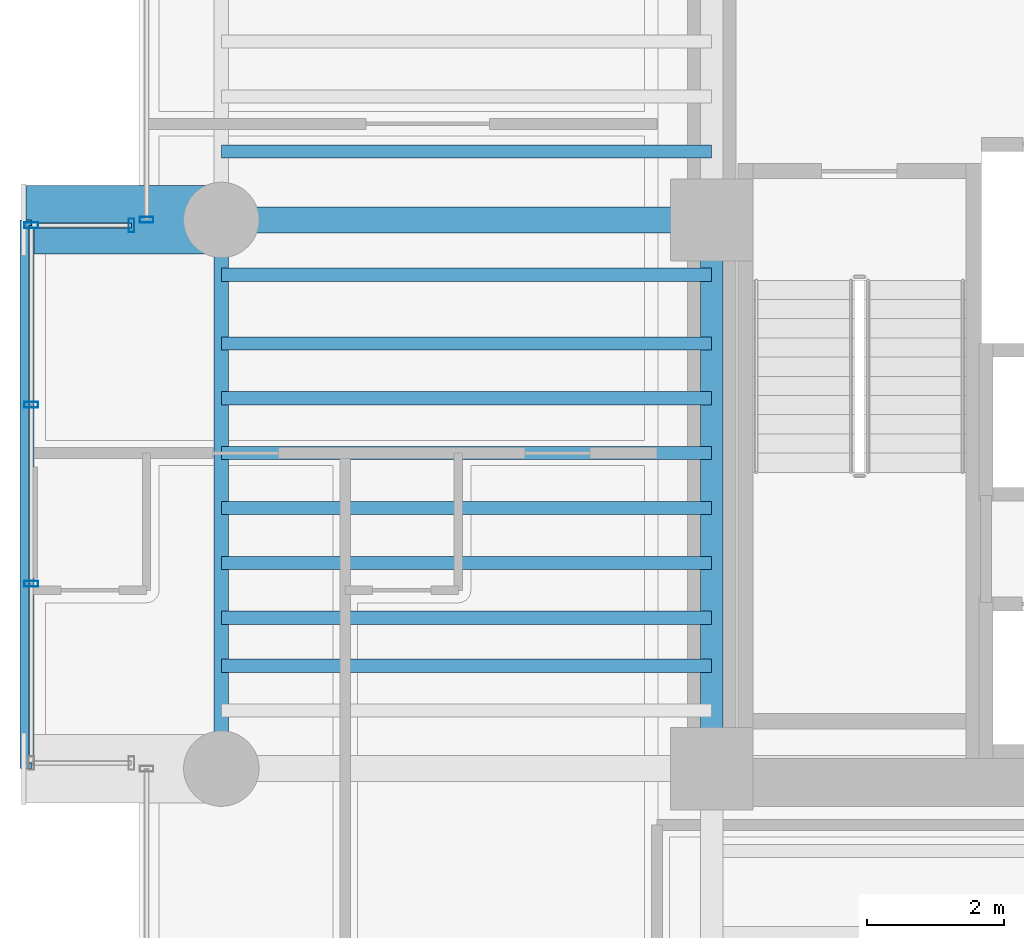
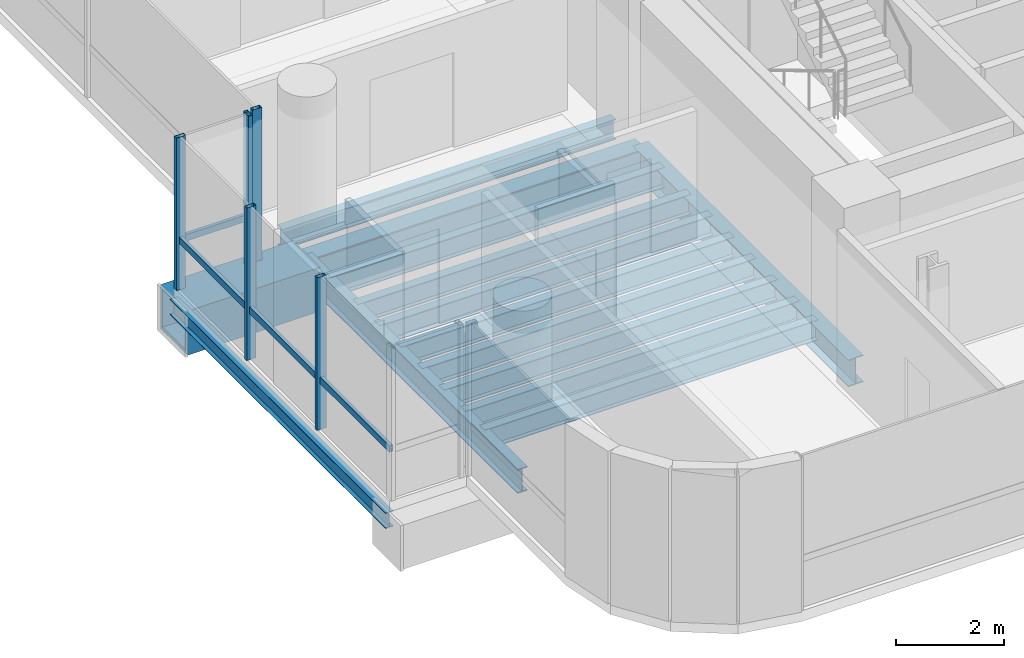
# One storey, part 4 of 37: 14 beams, 7 members, 3 elements without a shape of their own.
"""IFC4 building model written with IfcOpenShell, lengths in metres."""

from ifc_helpers import new_model, si_unit, direction, frame, origin, origin_2d, place, context, subcontext, project, spatial, hollow_rectangle, i_section, extrude, source, transform, mapped, material, material_profile, profile_set, type_object, element, aggregate, save


model = new_model("IFC4")

# Units and contexts
model_context = context("Model", 3, precision=1e-05, world=origin(), true_north=direction((0.0, 1.0)))
body_context = subcontext(model_context, "Body", "Model", "MODEL_VIEW")
ifc_project = project(units=[si_unit("LENGTHUNIT", "METRE"), si_unit("AREAUNIT", "SQUARE_METRE"), si_unit("VOLUMEUNIT", "CUBIC_METRE"), si_unit("PLANEANGLEUNIT", "RADIAN"), si_unit("MASSUNIT", "GRAM", prefix="KILO")], contexts=[model_context])

# Site, building, storey
site_placement = place(None, origin())
site = spatial("IfcSite", under=ifc_project, at=site_placement, CompositionType="ELEMENT")
building_placement = place(site_placement, origin())
building = spatial("IfcBuilding", under=site, at=building_placement, Name="Valdorenza Pilgrim Sanctuary Tower", CompositionType="ELEMENT")
storey_placement = place(building_placement, frame((0.0, 0.0, 135.300048828125)))
storey = spatial("IfcBuildingStorey", under=building, at=storey_placement, Name="L34", CompositionType="ELEMENT", Elevation=135.300048828125)

# Beams
ifc_material_1 = material(Name="Steel ASTM A992 Grade 50", Category="steel")
ifc_material_profile_1 = material_profile(ifc_material_1, i_section(OverallWidth=0.214111328125, OverallDepth=0.549072265625, WebThickness=0.0146484375, FlangeThickness=0.023681640625, at=origin_2d()), Name="W21X93")
ifc_profile_set_1 = profile_set([ifc_material_profile_1], Name="Steel ASTM A992 Grade 50")
beam_type_1 = type_object("IfcBeamType", Name="STR-BM-SPN-W21A", PredefinedType="SPANDREL", material=ifc_profile_set_1)
shared_shape_1 = source(origin(), body_context, "Body", "SweptSolid", [
    extrude(i_section(OverallWidth=0.214111328125, OverallDepth=0.549072265625, WebThickness=0.0146484375, FlangeThickness=0.023681640625, at=origin_2d()), origin(), (0.0, 0.0, 1.0), 8.0),
])
beam_1_placement = place(storey_placement, frame((-29.800048828125, -10.60009765625, -0.5146484375), z_axis=(0.0, 1.0, 0.0), x_axis=(-1.0, 0.0, 0.0)))
element("IfcBeam", 1, at=beam_1_placement, inside=storey, type_object=beam_type_1, Name="L34 Spandrel Beam WA-W-S1M0", PredefinedType="SPANDREL", context=body_context, shape_type="MappedRepresentation", body=[
    mapped(shared_shape_1, transform((0.0, 0.0, 0.0), x_axis=(1.0, 0.0, 0.0), y_axis=(0.0, 1.0, 0.0), z_axis=(0.0, 0.0, 1.0), scale=1.0)),
])
ifc_material_profile_2 = material_profile(ifc_material_1, i_section(OverallWidth=0.323974609375, OverallDepth=0.611083984375, WebThickness=0.0126953125, FlangeThickness=0.01904296875, at=origin_2d()), Name="W24X104")
ifc_profile_set_2 = profile_set([ifc_material_profile_2], Name="Steel ASTM A992 Grade 50")
beam_type_2 = type_object("IfcBeamType", Name="STR-BM-GRD-W24B", PredefinedType="BEAM", material=ifc_profile_set_2)
shared_shape_2 = source(origin(), body_context, "Body", "SweptSolid", [
    extrude(i_section(OverallWidth=0.323974609375, OverallDepth=0.611083984375, WebThickness=0.0126953125, FlangeThickness=0.01904296875, at=origin_2d()), origin(), (0.0, 0.0, 1.0), 8.0),
])
beam_2_placement = place(storey_placement, frame((-22.64990234375, -10.60009765625, -0.545654296875), z_axis=(0.0, 1.0, 0.0), x_axis=(-1.0, 0.0, 0.0)))
element("IfcBeam", 2, at=beam_2_placement, inside=storey, type_object=beam_type_2, Name="L34 Core Tie Girder CA-W-S1M0", PredefinedType="BEAM", context=body_context, shape_type="MappedRepresentation", body=[
    mapped(shared_shape_2, transform((0.0, 0.0, 0.0), x_axis=(1.0, 0.0, 0.0), y_axis=(0.0, 1.0, 0.0), z_axis=(0.0, 0.0, 1.0), scale=1.0)),
])
ifc_material_profile_3 = material_profile(ifc_material_1, i_section(OverallWidth=0.1708984375, OverallDepth=0.35107421875, WebThickness=0.0068359375, FlangeThickness=0.009765625, at=origin_2d()), Name="W14X30")
ifc_profile_set_3 = profile_set([ifc_material_profile_3], Name="Steel ASTM A992 Grade 50")
beam_type_3 = type_object("IfcBeamType", Name="STR-BM-BOX-W14", PredefinedType="BEAM", material=ifc_profile_set_3)
shared_shape_3 = source(origin(), body_context, "Body", "SweptSolid", [
    extrude(i_section(OverallWidth=0.1708984375, OverallDepth=0.35107421875, WebThickness=0.0068359375, FlangeThickness=0.009765625, at=origin_2d()), origin(), (0.0, 0.0, 1.0), 8.0),
])
beam_3_placement = place(storey_placement, frame((-32.64990234375, -10.60009765625, -0.41552734375), z_axis=(0.0, 1.0, 0.0), x_axis=(-1.0, 0.0, 0.0)))
element("IfcBeam", 3, at=beam_3_placement, inside=storey, type_object=beam_type_3, Name="L34 Glass Box Edge Beam BOX-WA-L34-F", PredefinedType="BEAM", context=body_context, shape_type="MappedRepresentation", body=[
    mapped(shared_shape_3, transform((0.0, 0.0, 0.0), x_axis=(1.0, 0.0, 0.0), y_axis=(0.0, 1.0, 0.0), z_axis=(0.0, 0.0, 1.0), scale=1.0)),
])
ifc_material_profile_4 = material_profile(ifc_material_1, i_section(OverallWidth=0.382080078125, OverallDepth=0.779052734375, WebThickness=0.01806640625, FlangeThickness=0.030029296875, at=origin_2d()), Name="W30X191")
ifc_profile_set_4 = profile_set([ifc_material_profile_4], Name="Steel ASTM A992 Grade 50")
beam_type_4 = type_object("IfcBeamType", Name="STR-BM-GRD-W30", PredefinedType="BEAM", material=ifc_profile_set_4)
shared_shape_4 = source(origin(), body_context, "Body", "SweptSolid", [
    extrude(i_section(OverallWidth=0.382080078125, OverallDepth=0.779052734375, WebThickness=0.01806640625, FlangeThickness=0.030029296875, at=origin_2d()), origin(), (0.0, 0.0, 1.0), 7.150146484375),
])
beam_4_placement = place(storey_placement, frame((-29.800048828125, -2.60009765625, -0.629638671875), z_axis=(1.0, 0.0, 0.0), x_axis=(0.0, 1.0, 0.0)))
element("IfcBeam", 4, at=beam_4_placement, inside=storey, type_object=beam_type_4, Name="L34 Floor Girder WA-XW-M0", PredefinedType="BEAM", context=body_context, shape_type="MappedRepresentation", body=[
    mapped(shared_shape_4, transform((0.0, 0.0, 0.0), x_axis=(1.0, 0.0, 0.0), y_axis=(0.0, 1.0, 0.0), z_axis=(0.0, 0.0, 1.0), scale=1.0)),
])
ifc_material_profile_5 = material_profile(ifc_material_1, i_section(OverallWidth=0.19091796875, OverallDepth=0.45703125, WebThickness=0.009033203125, FlangeThickness=0.014404296875, at=origin_2d()), Name="W18X50")
ifc_profile_set_5 = profile_set([ifc_material_profile_5], Name="Steel ASTM A992 Grade 50")
beam_type_5 = type_object("IfcBeamType", Name="STR-BM-JST-W18B", PredefinedType="JOIST", material=ifc_profile_set_5)
shared_shape_5 = source(origin(), body_context, "Body", "SweptSolid", [
    extrude(i_section(OverallWidth=0.19091796875, OverallDepth=0.45703125, WebThickness=0.009033203125, FlangeThickness=0.014404296875, at=origin_2d()), origin(), (0.0, 0.0, 1.0), 7.150146484375),
])
for number, where, z_axis, x_axis, name in (
    (5, (-29.800048828125, -9.10009765625, -0.468505859375), (1.0, 0.0, 0.0), (0.0, 1.0, 0.0), "L34 Composite Floor Joist JST-WA-2"),
    (6, (-29.800048828125, -8.39990234375, -0.468505859375), (1.0, 0.0, 0.0), (0.0, 1.0, 0.0), "L34 Composite Floor Joist JST-WA-3"),
    (7, (-29.800048828125, -7.60009765625, -0.468505859375), (1.0, 0.0, 0.0), (0.0, 1.0, 0.0), "L34 Composite Floor Joist JST-WA-4"),
    (8, (-29.800048828125, -6.800048828125, -0.468505859375), (1.0, 0.0, 0.0), (0.0, 1.0, 0.0), "L34 Composite Floor Joist JST-WA-5"),
    (9, (-29.800048828125, -6.0, -0.468505859375), (1.0, 0.0, 0.0), (0.0, 1.0, 0.0), "L34 Composite Floor Joist JST-WA-6"),
    (10, (-29.800048828125, -5.199951171875, -0.468505859375), (1.0, 0.0, 0.0), (0.0, 1.0, 0.0), "L34 Composite Floor Joist JST-WA-7"),
    (11, (-29.800048828125, -4.39990234375, -0.468505859375), (1.0, 0.0, 0.0), (0.0, 1.0, 0.0), "L34 Composite Floor Joist JST-WA-8"),
    (12, (-29.800048828125, -3.39990234375, -0.468505859375), (1.0, 0.0, 0.0), (0.0, 1.0, 0.0), "L34 Composite Floor Joist JST-WA-9"),
    (13, (-29.800048828125, -1.60009765625, -0.468505859375), (1.0, 0.0, 0.0), (0.0, 1.0, 0.0), "L34 Composite Floor Joist JST-WA-10"),
):
    element("IfcBeam", number, at=place(storey_placement, frame(where, z_axis=z_axis, x_axis=x_axis)), inside=storey, type_object=beam_type_5, Name=name, PredefinedType="JOIST", context=body_context, shape_type="MappedRepresentation", body=[
        mapped(shared_shape_5, transform((0.0, 0.0, 0.0), x_axis=(1.0, 0.0, 0.0), y_axis=(0.0, 1.0, 0.0), z_axis=(0.0, 0.0, 1.0), scale=1.0)),
    ])
ifc_material_2 = material(Name="Steel ASTM A572 Grade 42", Category="steel")
ifc_material_profile_6 = material_profile(ifc_material_2, hollow_rectangle(XDim=1.0, YDim=1.0, WallThickness=0.080078125, at=origin_2d()), Name="BOX 1000x1000x80")
ifc_profile_set_6 = profile_set([ifc_material_profile_6], Name="Steel ASTM A572 Grade 42")
beam_type_6 = type_object("IfcBeamType", Name="STR-BM-PROW-CANT", PredefinedType="BEAM", material=ifc_profile_set_6)
shared_shape_6 = source(origin(), body_context, "Body", "SweptSolid", [
    extrude(hollow_rectangle(XDim=1.0, YDim=1.0, WallThickness=0.080078125, at=origin_2d()), origin(), (0.0, 0.0, 1.0), 2.849853515625),
])
beam_5_placement = place(storey_placement, frame((-29.800048828125, -2.60009765625, -0.739990234375), z_axis=(-1.0, 0.0, 0.0), x_axis=(0.0, -1.0, 0.0)))
element("IfcBeam", 14, at=beam_5_placement, inside=storey, type_object=beam_type_6, Name="L34 Glass Box Cantilever Beam BOX-WA-L34-CT-N", PredefinedType="BEAM", context=body_context, shape_type="MappedRepresentation", body=[
    mapped(shared_shape_6, transform((0.0, 0.0, 0.0), x_axis=(1.0, 0.0, 0.0), y_axis=(0.0, 1.0, 0.0), z_axis=(0.0, 0.0, 1.0), scale=1.0)),
])

# Curtain wall, member
ifc_material_3 = material(Name="Curtain-wall IGU glazing", Category="glass")
curtain_wall_type = type_object("IfcCurtainWallType", Name="CW-SYS-02", PredefinedType="NOTDEFINED", material=ifc_material_3)
curtain_wall_1_placement = place(storey_placement, origin())
curtain_wall_1 = element("IfcCurtainWall", 15, at=curtain_wall_1_placement, inside=storey, type_object=curtain_wall_type, Name="L34 Curtain Wall CW-L34-1-1S2", PredefinedType="NOTDEFINED")
ifc_material_4 = material(Name="Anodised aluminium AW-6060", Category="aluminium")
ifc_material_profile_7 = material_profile(ifc_material_4, hollow_rectangle(XDim=0.0849609375, YDim=0.199951171875, WallThickness=0.0048828125, at=origin_2d()), Name="ALU-M 200x85x5")
ifc_profile_set_7 = profile_set([ifc_material_profile_7], Name="Anodised aluminium AW-6060")
member_type_1 = type_object("IfcMemberType", Name="CW-MUL-02", PredefinedType="MULLION", material=ifc_profile_set_7)
shared_shape_7 = source(origin(), body_context, "Body", "SweptSolid", [
    extrude(hollow_rectangle(XDim=0.0849609375, YDim=0.199951171875, WallThickness=0.0048828125, at=origin_2d()), origin(), (0.0, 0.0, 1.0), 3.4599609375),
])
member_1_placement = place(storey_placement, frame((-30.889892578125, -2.60009765625, 0.0), z_axis=(0.0, 0.0, 1.0), x_axis=(0.0, 1.0, 0.0)))
member_1 = element("IfcMember", 16, at=member_1_placement, type_object=member_type_1, Name="CW-L34-1-1S2 Mullion 1", PredefinedType="MULLION", context=body_context, shape_type="MappedRepresentation", body=[
    mapped(shared_shape_7, transform((0.0, 0.0, 0.0), x_axis=(1.0, 0.0, 0.0), y_axis=(0.0, 1.0, 0.0), z_axis=(0.0, 0.0, 1.0), scale=1.0)),
])
aggregate(curtain_wall_1, [member_1])

# Curtain wall, members
curtain_wall_2_placement = place(storey_placement, origin())
curtain_wall_2 = element("IfcCurtainWall", 17, at=curtain_wall_2_placement, inside=storey, type_object=curtain_wall_type, Name="L34 Curtain Wall CW-L34-BOX-WA-L34-F", PredefinedType="NOTDEFINED")
member_2_placement = place(storey_placement, frame((-32.570068359375, -7.90673828125, 0.0), z_axis=(0.0, 0.0, 1.0), x_axis=(0.0, 1.0, 0.0)))
member_2 = element("IfcMember", 18, at=member_2_placement, type_object=member_type_1, Name="CW-L34-BOX-WA-L34-F Mullion 2", PredefinedType="MULLION", context=body_context, shape_type="MappedRepresentation", body=[
    mapped(shared_shape_7, transform((0.0, 0.0, 0.0), x_axis=(1.0, 0.0, 0.0), y_axis=(0.0, 1.0, 0.0), z_axis=(0.0, 0.0, 1.0), scale=1.0)),
])
member_3_placement = place(storey_placement, frame((-32.570068359375, -5.293212890625, 0.0), z_axis=(0.0, 0.0, 1.0), x_axis=(0.0, 1.0, 0.0)))
member_3 = element("IfcMember", 19, at=member_3_placement, type_object=member_type_1, Name="CW-L34-BOX-WA-L34-F Mullion 3", PredefinedType="MULLION", context=body_context, shape_type="MappedRepresentation", body=[
    mapped(shared_shape_7, transform((0.0, 0.0, 0.0), x_axis=(1.0, 0.0, 0.0), y_axis=(0.0, 1.0, 0.0), z_axis=(0.0, 0.0, 1.0), scale=1.0)),
])
member_4_placement = place(storey_placement, frame((-32.570068359375, -2.679931640625, 0.0), z_axis=(0.0, 0.0, 1.0), x_axis=(0.0, 1.0, 0.0)))
member_4 = element("IfcMember", 20, at=member_4_placement, type_object=member_type_1, Name="CW-L34-BOX-WA-L34-F Mullion 4", PredefinedType="MULLION", context=body_context, shape_type="MappedRepresentation", body=[
    mapped(shared_shape_7, transform((0.0, 0.0, 0.0), x_axis=(1.0, 0.0, 0.0), y_axis=(0.0, 1.0, 0.0), z_axis=(0.0, 0.0, 1.0), scale=1.0)),
])

curtain_wall_3_placement = place(storey_placement, origin())
curtain_wall_3 = element("IfcCurtainWall", 21, at=curtain_wall_3_placement, inside=storey, type_object=curtain_wall_type, Name="L34 Curtain Wall CW-L34-BOX-WA-L34-N", PredefinedType="NOTDEFINED")
member_5_placement = place(storey_placement, frame((-31.110107421875, -2.679931640625, 0.0), z_axis=(0.0, 0.0, 1.0), x_axis=(1.0, 0.0, 0.0)))
member_5 = element("IfcMember", 22, at=member_5_placement, type_object=member_type_1, Name="CW-L34-BOX-WA-L34-N Mullion 2", PredefinedType="MULLION", context=body_context, shape_type="MappedRepresentation", body=[
    mapped(shared_shape_7, transform((0.0, 0.0, 0.0), x_axis=(1.0, 0.0, 0.0), y_axis=(0.0, 1.0, 0.0), z_axis=(0.0, 0.0, 1.0), scale=1.0)),
])
ifc_material_profile_8 = material_profile(ifc_material_4, hollow_rectangle(XDim=0.074951171875, YDim=0.14990234375, WallThickness=0.00390625, at=origin_2d()), Name="ALU-T 150x75x4")
ifc_profile_set_8 = profile_set([ifc_material_profile_8], Name="Anodised aluminium AW-6060")
member_type_2 = type_object("IfcMemberType", Name="CW-TRN-02", PredefinedType="USERDEFINED", material=ifc_profile_set_8)
shared_shape_8 = source(origin(), body_context, "Body", "SweptSolid", [
    extrude(hollow_rectangle(XDim=0.074951171875, YDim=0.14990234375, WallThickness=0.00390625, at=origin_2d()), origin(), (0.0, 0.0, 1.0), 1.4599609375),
])
member_6_placement = place(storey_placement, frame((-32.570068359375, -2.679931640625, 1.119873046875), z_axis=(1.0, 0.0, 0.0), x_axis=(0.0, 1.0, 0.0)))
member_6 = element("IfcMember", 23, at=member_6_placement, type_object=member_type_2, Name="CW-L34-BOX-WA-L34-N Transom 1", ObjectType="TRANSOM", PredefinedType="USERDEFINED", context=body_context, shape_type="MappedRepresentation", body=[
    mapped(shared_shape_8, transform((0.0, 0.0, 0.0), x_axis=(1.0, 0.0, 0.0), y_axis=(0.0, 1.0, 0.0), z_axis=(0.0, 0.0, 1.0), scale=1.0)),
])
aggregate(curtain_wall_3, [member_5, member_6])

# Member
shared_shape_9 = source(origin(), body_context, "Body", "SweptSolid", [
    extrude(hollow_rectangle(XDim=0.074951171875, YDim=0.14990234375, WallThickness=0.00390625, at=origin_2d()), origin(), (0.0, 0.0, 1.0), 7.840087890625),
])
member_7_placement = place(storey_placement, frame((-32.570068359375, -10.52001953125, 1.119873046875), z_axis=(0.0, 1.0, 0.0), x_axis=(-1.0, 0.0, 0.0)))
member_7 = element("IfcMember", 24, at=member_7_placement, type_object=member_type_2, Name="CW-L34-BOX-WA-L34-F Transom 1", ObjectType="TRANSOM", PredefinedType="USERDEFINED", context=body_context, shape_type="MappedRepresentation", body=[
    mapped(shared_shape_9, transform((0.0, 0.0, 0.0), x_axis=(1.0, 0.0, 0.0), y_axis=(0.0, 1.0, 0.0), z_axis=(0.0, 0.0, 1.0), scale=1.0)),
])

aggregate(curtain_wall_2, [member_2, member_3, member_4, member_7])

save(model, "model.ifc")
